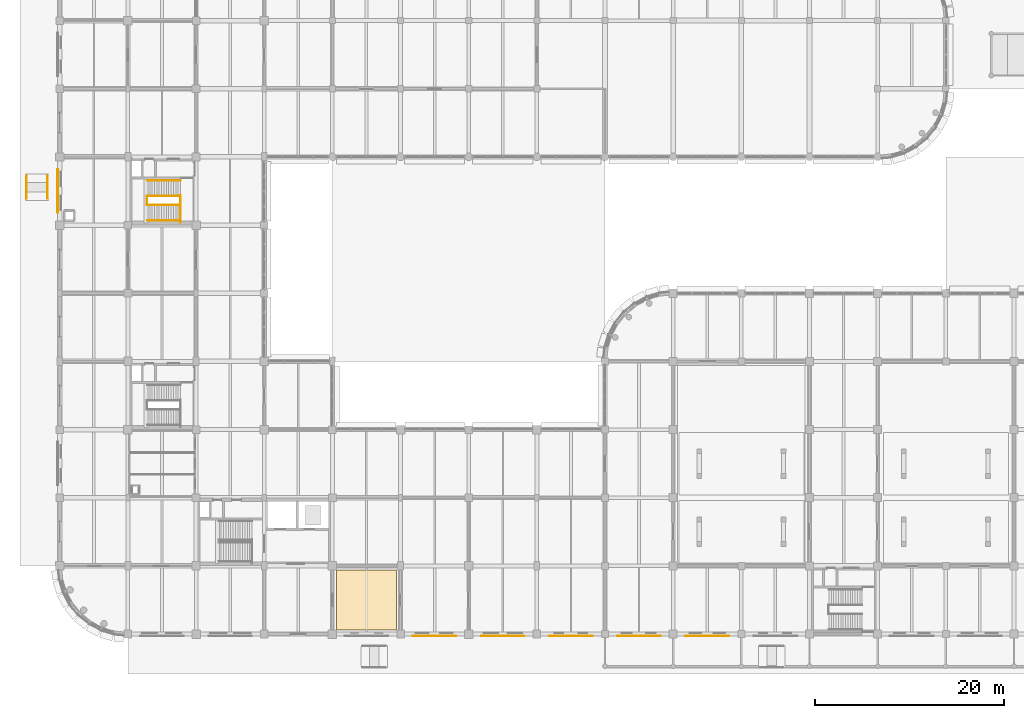
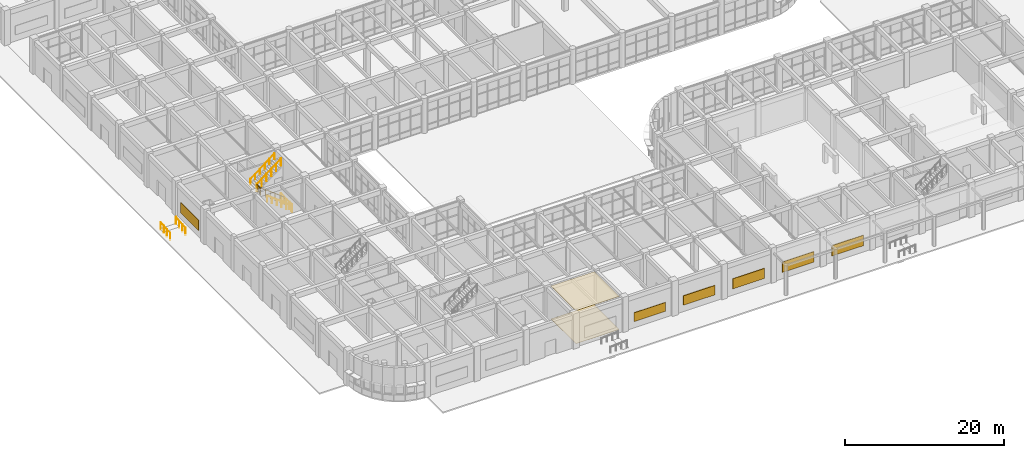
# One storey, part 152 of 160: 8 railings, 6 shading devices, 2 coverings.
"""IFC4 building model written with IfcOpenShell, lengths in metres."""

from ifc_helpers import new_model, si_unit, direction, frame, origin, origin_2d, place, context, subcontext, project, spatial, polyline, rectangle, circle, outline, extrude, material, layer, layer_set, type_object, element, save


model = new_model("IFC4")

# Units and contexts
model_context = context("Model", 3, precision=1e-05, world=origin(), true_north=direction((0.0, 1.0)))
body_context = subcontext(model_context, "Body", "Model", "MODEL_VIEW")
ifc_project = project(units=[si_unit("LENGTHUNIT", "METRE"), si_unit("AREAUNIT", "SQUARE_METRE"), si_unit("VOLUMEUNIT", "CUBIC_METRE"), si_unit("PLANEANGLEUNIT", "RADIAN"), si_unit("MASSUNIT", "GRAM", prefix="KILO")], contexts=[model_context])

# Site, building, storey
site_placement = place(None, origin())
site = spatial("IfcSite", under=ifc_project, at=site_placement, CompositionType="ELEMENT")
building_placement = place(site_placement, origin())
building = spatial("IfcBuilding", under=site, at=building_placement, Name="Thalmaran Polytechnic", CompositionType="ELEMENT")
storey_placement = place(building_placement, origin())
storey = spatial("IfcBuildingStorey", under=building, at=storey_placement, Name="L00", CompositionType="ELEMENT", Elevation=0.0)

# Coverings
ifc_material_1 = material(Name="Acoustic mineral fibre ceiling")
ifc_layer_1 = layer(ifc_material_1, 0.02490234375, Name="Acoustic mineral fibre ceiling")
ifc_layer_set_1 = layer_set([ifc_layer_1], Name="Acoustic mineral fibre ceiling")
covering_type_1 = type_object("IfcCoveringType", Name="CV-CL01", PredefinedType="CEILING", material=ifc_layer_set_1)
covering_1_placement = place(storey_placement, frame((0.0, 0.0, 5.06494140625)))
element("IfcCovering", 1, at=covering_1_placement, inside=storey, type_object=covering_type_1, Name="Fire Command Room Acoustic Ceiling", PredefinedType="CEILING", context=body_context, shape_type="SweptSolid", body=[
    extrude(outline(polyline([(35.550048828125, 0.449951171875), (29.25, 0.449951171875), (29.25, 6.75), (35.550048828125, 6.75), (35.550048828125, 0.449951171875)])), origin(), (0.0, 0.0, 1.0), 0.025146484375),
])
ifc_material_2 = material(Name="Polished terrazzo and epoxy lab flooring")
ifc_layer_2 = layer(ifc_material_2, 0.02001953125, Name="Polished terrazzo and epoxy lab flooring")
ifc_layer_set_2 = layer_set([ifc_layer_2], Name="Polished terrazzo and epoxy lab flooring")
covering_type_2 = type_object("IfcCoveringType", Name="CV-FL01", PredefinedType="FLOORING", material=ifc_layer_set_2)
covering_2_placement = place(storey_placement, origin())
element("IfcCovering", 2, at=covering_2_placement, inside=storey, type_object=covering_type_2, Name="Fire Command Room Specialist Finish Flooring", PredefinedType="FLOORING", context=body_context, shape_type="SweptSolid", body=[
    extrude(outline(polyline([(35.550048828125, 0.449951171875), (29.25, 0.449951171875), (29.25, 6.75), (35.550048828125, 6.75), (35.550048828125, 0.449951171875)])), origin(), (0.0, 0.0, 1.0), 0.02001953125),
])

# Railings
ifc_material_3 = material(Name="Stainless steel 316", Category="steel")
railing_type_1 = type_object("IfcRailingType", Name="RL-GR01", PredefinedType="GUARDRAIL", material=ifc_material_3)
railing_1_placement = place(storey_placement, frame((12.77001953125, 43.449951171875, 0.0)))
element("IfcRailing", 3, at=railing_1_placement, inside=storey, type_object=railing_type_1, Name="ST4 L00 Landing Edge Guardrail", PredefinedType="GUARDRAIL", context=body_context, shape_type="SweptSolid", body=[
    extrude(circle(Radius=0.02392578125, at=origin_2d()), frame((0.0, 0.0, 1.1259765625), z_axis=(0.0, 1.0, 0.0), x_axis=(-1.0, 0.0, 0.0)), (0.0, 0.0, 1.0), 2.8701171875),
    extrude(circle(Radius=0.02099609375, at=origin_2d()), origin(), (0.0, 0.0, 1.0), 1.101806640625),
    extrude(circle(Radius=0.02099609375, at=origin_2d()), frame((0.0, 0.717529296875, 0.0)), (0.0, 0.0, 1.0), 1.101806640625),
    extrude(circle(Radius=0.02099609375, at=origin_2d()), frame((0.0, 1.43505859375, 0.0)), (0.0, 0.0, 1.0), 1.101806640625),
    extrude(circle(Radius=0.02099609375, at=origin_2d()), frame((0.0, 2.152587890625, 0.0)), (0.0, 0.0, 1.0), 1.101806640625),
    extrude(circle(Radius=0.02099609375, at=origin_2d()), frame((0.0, 2.8701171875, 0.0)), (0.0, 0.0, 1.0), 1.101806640625),
])
railing_2_placement = place(storey_placement, frame((12.760009765625, 45.320068359375, 0.0)))
element("IfcRailing", 4, at=railing_2_placement, inside=storey, type_object=railing_type_1, Name="ST4 L00 Lower Flight Guardrail", PredefinedType="GUARDRAIL", context=body_context, shape_type="SweptSolid", body=[
    extrude(circle(Radius=0.02392578125, at=origin_2d()), frame((0.0, 0.0, 1.1259765625), z_axis=(-0.791787597706, 0.0, 0.610796529229), x_axis=(0.0, -1.0, 0.0)), (0.0, 0.0, 1.0), 4.42041015625),
    extrude(circle(Radius=0.02099609375, at=origin_2d()), origin(), (0.0, 0.0, 1.0), 1.101806640625),
    extrude(circle(Radius=0.02099609375, at=origin_2d()), frame((-0.699951171875, 0.0, 0.5400390625)), (0.0, 0.0, 1.0), 1.101806640625),
    extrude(circle(Radius=0.02099609375, at=origin_2d()), frame((-1.39990234375, 0.0, 1.080078125)), (0.0, 0.0, 1.0), 1.101806640625),
    extrude(circle(Radius=0.02099609375, at=origin_2d()), frame((-2.10009765625, 0.0, 1.619873046875)), (0.0, 0.0, 1.0), 1.101806640625),
    extrude(circle(Radius=0.02099609375, at=origin_2d()), frame((-2.800048828125, 0.0, 2.159912109375)), (0.0, 0.0, 1.0), 1.101806640625),
    extrude(circle(Radius=0.02099609375, at=origin_2d()), frame((-3.5, 0.0, 2.699951171875)), (0.0, 0.0, 1.0), 1.101806640625),
])
railing_3_placement = place(storey_placement, frame((9.219970703125, 45.300048828125, 2.699951171875)))
element("IfcRailing", 5, at=railing_3_placement, inside=storey, type_object=railing_type_1, Name="ST4 L00 Half-Landing Well Guardrail", PredefinedType="GUARDRAIL", context=body_context, shape_type="SweptSolid", body=[
    extrude(circle(Radius=0.02392578125, at=origin_2d()), frame((0.0, 0.0, 1.1259765625), z_axis=(0.0, 1.0, 0.0), x_axis=(-1.0, 0.0, 0.0)), (0.0, 0.0, 1.0), 0.97998046875),
    extrude(circle(Radius=0.02099609375, at=origin_2d()), origin(), (0.0, 0.0, 1.0), 1.101806640625),
    extrude(circle(Radius=0.02099609375, at=origin_2d()), frame((0.0, 0.32666015625, 0.0)), (0.0, 0.0, 1.0), 1.101806640625),
    extrude(circle(Radius=0.02099609375, at=origin_2d()), frame((0.0, 0.6533203125, 0.0)), (0.0, 0.0, 1.0), 1.101806640625),
    extrude(circle(Radius=0.02099609375, at=origin_2d()), frame((0.0, 0.97998046875, 0.0)), (0.0, 0.0, 1.0), 1.101806640625),
])
railing_4_placement = place(storey_placement, frame((9.260009765625, 46.260009765625, 2.699951171875)))
element("IfcRailing", 6, at=railing_4_placement, inside=storey, type_object=railing_type_1, Name="ST4 L00 Upper Flight Guardrail", PredefinedType="GUARDRAIL", context=body_context, shape_type="SweptSolid", body=[
    extrude(circle(Radius=0.02392578125, at=origin_2d()), frame((0.0, 0.0, 1.1259765625), z_axis=(0.791787597706, 0.0, 0.610796529229), x_axis=(0.0, 1.0, 0.0)), (0.0, 0.0, 1.0), 4.42041015625),
    extrude(circle(Radius=0.02099609375, at=origin_2d()), origin(), (0.0, 0.0, 1.0), 1.101806640625),
    extrude(circle(Radius=0.02099609375, at=origin_2d()), frame((0.699951171875, 0.0, 0.5400390625)), (0.0, 0.0, 1.0), 1.101806640625),
    extrude(circle(Radius=0.02099609375, at=origin_2d()), frame((1.39990234375, 0.0, 1.080078125)), (0.0, 0.0, 1.0), 1.101806640625),
    extrude(circle(Radius=0.02099609375, at=origin_2d()), frame((2.10009765625, 0.0, 1.619873046875)), (0.0, 0.0, 1.0), 1.101806640625),
    extrude(circle(Radius=0.02099609375, at=origin_2d()), frame((2.800048828125, 0.0, 2.159912109375)), (0.0, 0.0, 1.0), 1.101806640625),
    extrude(circle(Radius=0.02099609375, at=origin_2d()), frame((3.5, 0.0, 2.699951171875)), (0.0, 0.0, 1.0), 1.101806640625),
])
for number, where, name in (
    (7, (-3.52001953125, 46.0, -0.179931640625), "Ramp Guardrail PED4-A"),
    (8, (-1.280029296875, 46.0, -0.179931640625), "Ramp Guardrail PED4-B"),
):
    element("IfcRailing", number, at=place(storey_placement, frame(where)), inside=storey, type_object=railing_type_1, Name=name, PredefinedType="GUARDRAIL", context=body_context, shape_type="SweptSolid", body=[
        extrude(circle(Radius=0.02392578125, at=origin_2d()), frame((0.0, 0.0, 1.1259765625), z_axis=(0.0, 0.997201201018, 0.074764728906), x_axis=(-1.0, 0.0, 0.0)), (0.0, 0.0, 1.0), 2.40673828125),
        extrude(circle(Radius=0.02099609375, at=origin_2d()), origin(), (0.0, 0.0, 1.0), 1.101806640625),
        extrude(circle(Radius=0.02099609375, at=origin_2d()), frame((0.0, 0.800048828125, 0.06005859375)), (0.0, 0.0, 1.0), 1.101806640625),
        extrude(circle(Radius=0.02099609375, at=origin_2d()), frame((0.0, 1.599853515625, 0.119873046875)), (0.0, 0.0, 1.0), 1.101806640625),
        extrude(circle(Radius=0.02099609375, at=origin_2d()), frame((0.0, 2.39990234375, 0.179931640625)), (0.0, 0.0, 1.0), 1.101806640625),
    ])
railing_type_2 = type_object("IfcRailingType", Name="RL-HR01", PredefinedType="HANDRAIL", material=ifc_material_3)
railing_5_placement = place(storey_placement, frame((12.760009765625, 43.679931640625, 0.0)))
element("IfcRailing", 9, at=railing_5_placement, inside=storey, type_object=railing_type_2, Name="ST4 L00 Flight 1 Handrail", PredefinedType="HANDRAIL", context=body_context, shape_type="SweptSolid", body=[
    extrude(circle(Radius=0.02392578125, at=origin_2d()), frame((0.0, 0.0, 0.8759765625), z_axis=(-0.791787597706, 0.0, 0.610796529229), x_axis=(0.0, -1.0, 0.0)), (0.0, 0.0, 1.0), 4.42041015625),
    extrude(circle(Radius=0.02099609375, at=origin_2d()), origin(), (0.0, 0.0, 1.0), 0.851806640625),
    extrude(circle(Radius=0.02099609375, at=origin_2d()), frame((-0.699951171875, 0.0, 0.5400390625)), (0.0, 0.0, 1.0), 0.851806640625),
    extrude(circle(Radius=0.02099609375, at=origin_2d()), frame((-1.39990234375, 0.0, 1.080078125)), (0.0, 0.0, 1.0), 0.851806640625),
    extrude(circle(Radius=0.02099609375, at=origin_2d()), frame((-2.10009765625, 0.0, 1.619873046875)), (0.0, 0.0, 1.0), 0.851806640625),
    extrude(circle(Radius=0.02099609375, at=origin_2d()), frame((-2.800048828125, 0.0, 2.159912109375)), (0.0, 0.0, 1.0), 0.851806640625),
    extrude(circle(Radius=0.02099609375, at=origin_2d()), frame((-3.5, 0.0, 2.699951171875)), (0.0, 0.0, 1.0), 0.851806640625),
])
railing_6_placement = place(storey_placement, frame((9.260009765625, 47.919921875, 2.699951171875)))
element("IfcRailing", 10, at=railing_6_placement, inside=storey, type_object=railing_type_2, Name="ST4 L00 Flight 2 Handrail", PredefinedType="HANDRAIL", context=body_context, shape_type="SweptSolid", body=[
    extrude(circle(Radius=0.02392578125, at=origin_2d()), frame((0.0, 0.0, 0.8759765625), z_axis=(0.791787597706, 0.0, 0.610796529229), x_axis=(0.0, 1.0, 0.0)), (0.0, 0.0, 1.0), 4.42041015625),
    extrude(circle(Radius=0.02099609375, at=origin_2d()), origin(), (0.0, 0.0, 1.0), 0.851806640625),
    extrude(circle(Radius=0.02099609375, at=origin_2d()), frame((0.699951171875, 0.0, 0.5400390625)), (0.0, 0.0, 1.0), 0.851806640625),
    extrude(circle(Radius=0.02099609375, at=origin_2d()), frame((1.39990234375, 0.0, 1.080078125)), (0.0, 0.0, 1.0), 0.851806640625),
    extrude(circle(Radius=0.02099609375, at=origin_2d()), frame((2.10009765625, 0.0, 1.619873046875)), (0.0, 0.0, 1.0), 0.851806640625),
    extrude(circle(Radius=0.02099609375, at=origin_2d()), frame((2.800048828125, 0.0, 2.159912109375)), (0.0, 0.0, 1.0), 0.851806640625),
    extrude(circle(Radius=0.02099609375, at=origin_2d()), frame((3.5, 0.0, 2.699951171875)), (0.0, 0.0, 1.0), 0.851806640625),
])

# Shading devices
ifc_material_4 = material(Name="Perforated anodised-bronze aluminium screen", Category="aluminium")
ifc_layer_3 = layer(ifc_material_4, 0.080078125, Name="Perforated anodised-bronze aluminium screen")
ifc_layer_set_3 = layer_set([ifc_layer_3], Name="Perforated anodised-bronze aluminium screen")
shading_device_type = type_object("IfcShadingDeviceType", Name="SH-JL01", PredefinedType="JALOUSIE", material=ifc_layer_set_3)
shading_device_1_placement = place(storey_placement, frame((-0.219970703125, 46.800048828125, 1.02490234375), z_axis=(0.0, 0.0, 1.0), x_axis=(0.0, 1.0, 0.0)))
element("IfcShadingDevice", 11, at=shading_device_1_placement, inside=storey, type_object=shading_device_type, Name="Anodised-Bronze Mashrabiya Solar Screen L00-007", PredefinedType="JALOUSIE", context=body_context, shape_type="SweptSolid", body=[
    extrude(rectangle(XDim=4.543212890625, YDim=0.080078125, at=origin_2d()), origin(), (0.0, 0.0, 1.0), 1.60009765625),
])
for number, where, z_axis, x_axis, name in (
    (12, (68.39990234375, -0.219970703125, 1.02490234375), (0.0, 0.0, 1.0), (-1.0, 0.0, 0.0), "Anodised-Bronze Mashrabiya Solar Screen L00-083"),
    (13, (61.199951171875, -0.219970703125, 1.02490234375), (0.0, 0.0, 1.0), (-1.0, 0.0, 0.0), "Anodised-Bronze Mashrabiya Solar Screen L00-084"),
):
    element("IfcShadingDevice", number, at=place(storey_placement, frame(where, z_axis=z_axis, x_axis=x_axis)), inside=storey, type_object=shading_device_type, Name=name, PredefinedType="JALOUSIE", context=body_context, shape_type="SweptSolid", body=[
        extrude(rectangle(XDim=4.60791015625, YDim=0.080078125, at=origin_2d()), origin(), (0.0, 0.0, 1.0), 1.60009765625),
    ])
shading_device_2_placement = place(storey_placement, frame((54.0, -0.219970703125, 1.02490234375), z_axis=(0.0, 0.0, 1.0), x_axis=(-1.0, 0.0, 0.0)))
element("IfcShadingDevice", 14, at=shading_device_2_placement, inside=storey, type_object=shading_device_type, Name="Anodised-Bronze Mashrabiya Solar Screen L00-085", PredefinedType="JALOUSIE", context=body_context, shape_type="SweptSolid", body=[
    extrude(rectangle(XDim=4.6259765625, YDim=0.080078125, at=origin_2d()), origin(), (0.0, 0.0, 1.0), 1.550048828125),
])
shading_device_3_placement = place(storey_placement, frame((46.800048828125, -0.219970703125, 1.02490234375), z_axis=(0.0, 0.0, 1.0), x_axis=(-1.0, 0.0, 0.0)))
element("IfcShadingDevice", 15, at=shading_device_3_placement, inside=storey, type_object=shading_device_type, Name="Anodised-Bronze Mashrabiya Solar Screen L00-086", PredefinedType="JALOUSIE", context=body_context, shape_type="SweptSolid", body=[
    extrude(rectangle(XDim=4.572021484375, YDim=0.080078125, at=origin_2d()), origin(), (0.0, 0.0, 1.0), 1.449951171875),
])
shading_device_4_placement = place(storey_placement, frame((39.60009765625, -0.219970703125, 1.02490234375), z_axis=(0.0, 0.0, 1.0), x_axis=(-1.0, 0.0, 0.0)))
element("IfcShadingDevice", 16, at=shading_device_4_placement, inside=storey, type_object=shading_device_type, Name="Anodised-Bronze Mashrabiya Solar Screen L00-087", PredefinedType="JALOUSIE", context=body_context, shape_type="SweptSolid", body=[
    extrude(rectangle(XDim=4.572021484375, YDim=0.080078125, at=origin_2d()), origin(), (0.0, 0.0, 1.0), 1.35009765625),
])

save(model, "model.ifc")
